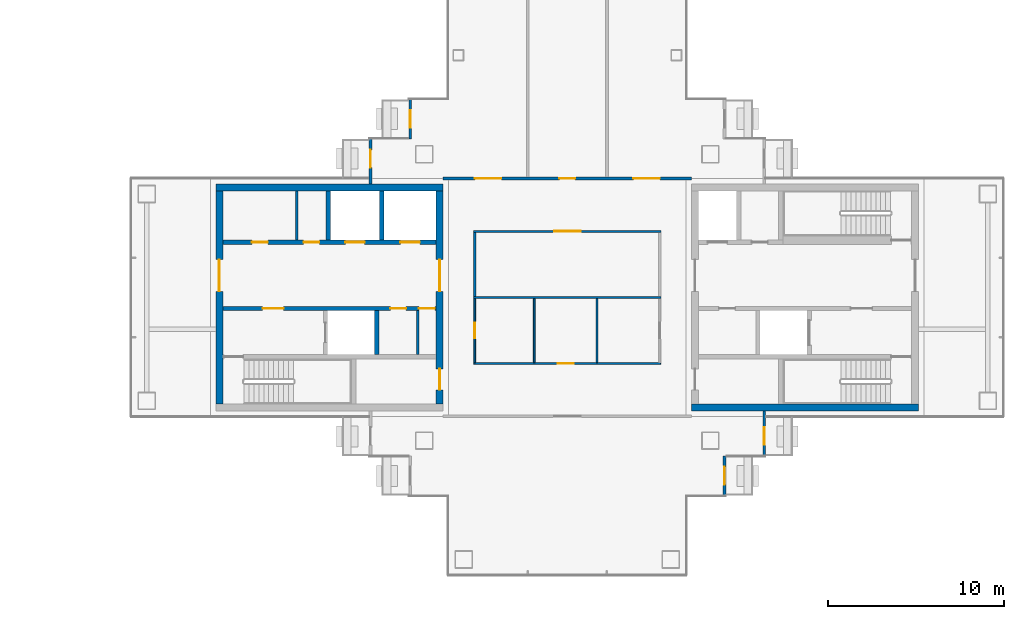
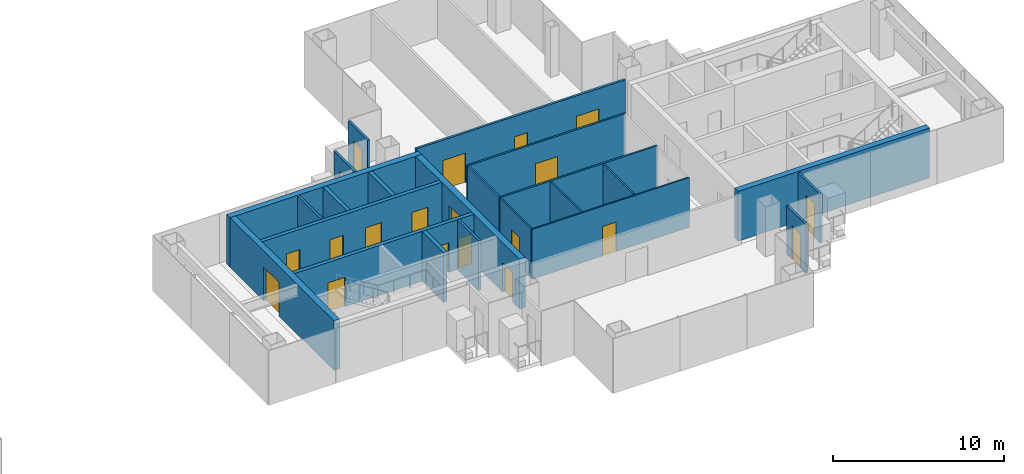
# One storey, part 11 of 16: 23 walls, 20 doors, 20 openings.
"""IFC4 building model written with IfcOpenShell, lengths in metres."""

import ifcopenshell
import ifcopenshell.guid

model = None  # the IFC model being written
_history = None  # IfcOwnerHistory: only IFC2X3 demands one
_inside = {}  # id of a spatial element -> (the spatial element, [elements in it])
_under = {}  # id of a project, library or spatial element -> (it, [spatial elements below it])
_declared = {}  # id of a project -> (the project, [libraries it declares])
_typed = {}  # id of a type object -> (the type object, [elements of that type])
_made_of = {}  # id of a material, layer set ... -> (it, [elements and type objects made of it])


def new_model(schema):
    """Start an empty IFC model of exactly this schema.

    Asked for "IFC4X3", IfcOpenShell would pick the latest addendum, in which some entities
    have other attributes; the version numbers below select the first issue.
    IFC2X3 requires an IfcOwnerHistory on every rooted entity: one is made here for all.
    """
    global model, _history
    if schema == "IFC4X3":
        model = ifcopenshell.file(schema_version=(4, 3, 0, 0))
    else:
        model = ifcopenshell.file(schema=schema)
    _inside.clear()
    _under.clear()
    _declared.clear()
    _typed.clear()
    _made_of.clear()
    _history = None
    if model.schema == "IFC2X3":
        org = make("IfcOrganization", Name="unknown")
        user = make(
            "IfcPersonAndOrganization",
            ThePerson=make("IfcPerson", FamilyName="unknown"),
            TheOrganization=org,
        )
        app = make(
            "IfcApplication",
            ApplicationDeveloper=org,
            Version="unknown",
            ApplicationFullName="unknown",
            ApplicationIdentifier="unknown",
        )
        _history = make(
            "IfcOwnerHistory",
            OwningUser=user,
            OwningApplication=app,
            ChangeAction="ADDED",
            CreationDate=0,
        )
    return model


def make(cls, **values):
    """One entity of the class cls with the attributes given. An attribute that is None is left unset."""
    return model.create_entity(
        cls, **{name: value for name, value in values.items() if value is not None}
    )


def rooted(cls, **values):
    """An entity with a GlobalId (a new one), such as an element, a storey or a relation."""
    return make(cls, GlobalId=ifcopenshell.guid.new(), OwnerHistory=_history, **values)


def si_unit(unit_type, name, prefix=None):
    """IfcSIUnit, for example si_unit("LENGTHUNIT", "METRE", prefix="MILLI")."""
    return make("IfcSIUnit", UnitType=unit_type, Prefix=prefix, Name=name)


def assignment(units):
    """IfcUnitAssignment: the units of a project."""
    return None if units is None else make("IfcUnitAssignment", Units=units)


def point(xyz):
    """IfcCartesianPoint."""
    return None if xyz is None else make("IfcCartesianPoint", Coordinates=xyz)


def direction(xyz):
    """IfcDirection."""
    return None if xyz is None else make("IfcDirection", DirectionRatios=xyz)


def frame(location, z_axis=None, x_axis=None):
    """IfcAxis2Placement3D, a coordinate frame: its origin and axes. An axis left out is left unset."""
    return make(
        "IfcAxis2Placement3D",
        Location=point(location),
        Axis=direction(z_axis),
        RefDirection=direction(x_axis),
    )


def frame_2d(location, x_axis=None):
    """IfcAxis2Placement2D, a coordinate frame in the plane: its origin and x axis."""
    return make(
        "IfcAxis2Placement2D", Location=point(location), RefDirection=direction(x_axis)
    )


def origin():
    """The frame at (0, 0, 0) with its axes left unset."""
    return frame((0.0, 0.0, 0.0))


def place(relative_to, where):
    """IfcLocalPlacement: puts the frame where relative to a parent placement (None: the world)."""
    return make(
        "IfcLocalPlacement", PlacementRelTo=relative_to, RelativePlacement=where
    )


def context(
    kind, dimensions, precision=None, world=None, true_north=None, identifier=None
):
    """IfcGeometricRepresentationContext, for example the 3D "Model" context."""
    return make(
        "IfcGeometricRepresentationContext",
        ContextIdentifier=identifier,
        ContextType=kind,
        CoordinateSpaceDimension=dimensions,
        Precision=precision,
        WorldCoordinateSystem=world,
        TrueNorth=true_north,
    )


def subcontext(parent, identifier, kind, view, scale=None):
    """IfcGeometricRepresentationSubContext, for example "Body" below "Model"."""
    return make(
        "IfcGeometricRepresentationSubContext",
        ContextIdentifier=identifier,
        ContextType=kind,
        ParentContext=parent,
        TargetScale=scale,
        TargetView=view,
    )


def project(units=None, contexts=None):
    """IfcProject with its units and contexts."""
    return rooted(
        "IfcProject",
        Name="project",
        RepresentationContexts=contexts,
        UnitsInContext=assignment(units),
    )


def spatial(cls, under=None, at=None, **own):
    """A site, building, storey or space (cls), placed at a placement, below another one or the project."""
    s = rooted(cls, ObjectPlacement=at, **own)
    if under is not None:
        _under.setdefault(under.id(), (under, []))[1].append(s)
    return s


def profile(cls, at=None, kind="AREA", **sizes):
    """A parametric profile (cls). Its sizes go by their IFC names, for example OverallWidth=200.0."""
    return make(cls, ProfileType=kind, Position=at, **sizes)


def rectangle(**sizes):
    """IfcRectangleProfileDef."""
    return profile("IfcRectangleProfileDef", **sizes)


def extrude(swept, where, along, depth):
    """IfcExtrudedAreaSolid: the profile swept, set in the frame where, extruded along a direction by depth."""
    return make(
        "IfcExtrudedAreaSolid",
        SweptArea=swept,
        Position=where,
        ExtrudedDirection=direction(along),
        Depth=depth,
    )


def shape(context_of_items, identifier, shape_type, items):
    """IfcShapeRepresentation: the items that make up one representation, for example the "Body"."""
    return make(
        "IfcShapeRepresentation",
        ContextOfItems=context_of_items,
        RepresentationIdentifier=identifier,
        RepresentationType=shape_type,
        Items=items,
    )


def material(Name=None, Category=None):
    """IfcMaterial."""
    return make("IfcMaterial", Name=Name, Category=Category)


def layer(
    of_material, thickness, ventilated=None, Name=None, Category=None, Priority=None
):
    """IfcMaterialLayer: one layer of a wall or slab, of a material (None: an air gap)."""
    return make(
        "IfcMaterialLayer",
        Material=of_material,
        LayerThickness=thickness,
        IsVentilated=ventilated,
        Name=Name,
        Category=Category,
        Priority=Priority,
    )


def layer_set(layers, Name=None):
    """IfcMaterialLayerSet."""
    return make("IfcMaterialLayerSet", MaterialLayers=layers, LayerSetName=Name)


def made_of(thing, what):
    """Note that an element or type object is made of a material, layer set ...; save() writes the relation."""
    if what is not None:
        _made_of.setdefault(what.id(), (what, []))[1].append(thing)
    return thing


def type_object(cls, material=None, **own):
    """A type object (cls), such as IfcWallType, which elements share."""
    return made_of(rooted(cls, **own), material)


def element(
    cls,
    number,
    at=None,
    inside=None,
    cuts=None,
    type_object=None,
    material=None,
    context=None,
    identifier="Body",
    shape_type=None,
    held_by="IfcProductDefinitionShape",
    body=None,
    shapes=None,
    **own,
):
    """One element of the class cls, such as IfcWall. Its Tag is "e" and its number.

    at: its placement. inside: the storey or other place that contains it. cuts: it is an
    opening in that element (IfcRelVoidsElement). A single representation is given by context,
    identifier, shape_type and body (its items); several are given by shapes. held_by: the class
    of the entity that holds the representations. save() writes the other relations.
    """
    e = rooted(cls, Tag="e%d" % number, ObjectPlacement=at, **own)
    if body is not None:
        shapes = [shape(context, identifier, shape_type, body)]
    if shapes is not None:
        e.Representation = make(held_by, Representations=shapes)
    if inside is not None:
        _inside.setdefault(inside.id(), (inside, []))[1].append(e)
    if cuts is not None:
        rooted(
            "IfcRelVoidsElement", RelatingBuildingElement=cuts, RelatedOpeningElement=e
        )
    if type_object is not None:
        _typed.setdefault(type_object.id(), (type_object, []))[1].append(e)
    return made_of(e, material)


def fill(opening, filler):
    """IfcRelFillsElement: the door or window that sits in an opening."""
    return rooted(
        "IfcRelFillsElement",
        RelatingOpeningElement=opening,
        RelatedBuildingElement=filler,
    )


def aggregate(whole, parts):
    """IfcRelAggregates: a whole, such as a stair, and the parts it consists of."""
    return rooted("IfcRelAggregates", RelatingObject=whole, RelatedObjects=parts)


def save(model, path):
    """Write the relations noted so far, then the file.

    IfcRelAggregates (storeys below a building ...), IfcRelContainedInSpatialStructure (elements
    in a storey), IfcRelDefinesByType, IfcRelAssociatesMaterial and IfcRelDeclares: one each for
    every whole, place, type object, material and project.
    """
    for whole, parts in _under.values():
        aggregate(whole, parts)
    for where, things in _inside.values():
        rooted(
            "IfcRelContainedInSpatialStructure",
            RelatedElements=things,
            RelatingStructure=where,
        )
    for kind, things in _typed.values():
        rooted("IfcRelDefinesByType", RelatedObjects=things, RelatingType=kind)
    for what, things in _made_of.values():
        rooted("IfcRelAssociatesMaterial", RelatedObjects=things, RelatingMaterial=what)
    for by, libraries in _declared.values():
        rooted("IfcRelDeclares", RelatingContext=by, RelatedDefinitions=libraries)
    model.write(path)


model = new_model("IFC4")

# Units and contexts
model_context = context("Model", 3, precision=1e-05, world=origin(), true_north=direction((0.0, 1.0)))
body_context = subcontext(model_context, "Body", "Model", "MODEL_VIEW")
ifc_project = project(units=[si_unit("LENGTHUNIT", "METRE"), si_unit("AREAUNIT", "SQUARE_METRE"), si_unit("VOLUMEUNIT", "CUBIC_METRE"), si_unit("PLANEANGLEUNIT", "RADIAN"), si_unit("MASSUNIT", "GRAM", prefix="KILO")], contexts=[model_context])

# Site, building, storey
site_placement = place(None, origin())
site = spatial("IfcSite", under=ifc_project, at=site_placement, CompositionType="ELEMENT")
building_placement = place(site_placement, origin())
building = spatial("IfcBuilding", under=site, at=building_placement, Name="Shamsa Quay Exchange Towers", CompositionType="ELEMENT")
storey_placement = place(building_placement, frame((0.0, 0.0, 186.60009765625)))
storey = spatial("IfcBuildingStorey", under=building, at=storey_placement, Name="L44", CompositionType="ELEMENT", Elevation=186.60009765625)

# Wall, opening, door
ifc_material_1 = material(Name="Aluminium EN AW-6063 T6, black anodised, with black enamelled glass infill", Category="aluminium")
ifc_layer_1 = layer(ifc_material_1, 0.14990234375)
ifc_layer_set_1 = layer_set([ifc_layer_1], Name="BALCONY DOOR BAY WALL 150")
wall_type_1 = type_object("IfcWallType", Name="BALCONY DOOR BAY WALL 150", PredefinedType="SOLIDWALL", material=ifc_layer_set_1)
wall_1_placement = place(storey_placement, frame((24.824951171875, 9.0, 0.0), z_axis=(0.0, 0.0, 1.0), x_axis=(0.0, 1.0, 0.0)))
wall_1 = element("IfcWall", 1, at=wall_1_placement, inside=storey, type_object=wall_type_1, Name="Door bay T2-PKEN L44", PredefinedType="SOLIDWALL", context=body_context, shape_type="SweptSolid", body=[
    extrude(rectangle(XDim=2.25, YDim=0.14990234375, at=frame_2d((1.125, 0.0))), origin(), (0.0, 0.0, 1.0), 3.449951171875),
])
opening_1_placement = place(wall_1_placement, frame((0.625, 0.0, 0.0)))
opening_1 = element("IfcOpeningElement", 2, at=opening_1_placement, cuts=wall_1, Name="Opening XD281", PredefinedType="OPENING", context=body_context, shape_type="SweptSolid", body=[
    extrude(rectangle(XDim=1.0, YDim=2.39990234375, at=frame_2d((0.5, 1.199951171875))), frame((0.0, 0.0849609375, 0.0), z_axis=(0.0, -1.0, 0.0), x_axis=(1.0, 0.0, 0.0)), (0.0, 0.0, 1.0), 0.169921875),
])
ifc_material_2 = material(Name="Aluminium EN AW-6063 T6, black anodised, with laminated glass leaf", Category="aluminium")
door_type_1 = type_object("IfcDoorType", Name="BALCONY DOOR 1000x2400", OperationType="SINGLE_SWING_LEFT", PredefinedType="DOOR", material=ifc_material_2)
door_1_placement = place(opening_1_placement, origin())
door_1 = element("IfcDoor", 3, at=door_1_placement, inside=storey, type_object=door_type_1, Name="Balcony door T2-PKEN L44", OperationType="SINGLE_SWING_RIGHT", OverallHeight=2.39990234375, OverallWidth=1.0, PredefinedType="DOOR", context=body_context, shape_type="SweptSolid", body=[
    extrude(rectangle(XDim=1.0, YDim=2.39990234375, at=frame_2d((0.5, 1.199951171875))), frame((0.0, 0.02490234375, 0.0), z_axis=(0.0, -1.0, 0.0), x_axis=(1.0, 0.0, 0.0)), (0.0, 0.0, 1.0), 0.050048828125),
])
fill(opening_1, door_1)

wall_2_placement = place(storey_placement, frame((22.574951171875, 6.447998046875, 0.0), z_axis=(0.0, 0.0, 1.0), x_axis=(0.0, 1.0, 0.0)))
wall_2 = element("IfcWall", 4, at=wall_2_placement, inside=storey, type_object=wall_type_1, Name="Door bay T2-PKEN L44", PredefinedType="SOLIDWALL", context=body_context, shape_type="SweptSolid", body=[
    extrude(rectangle(XDim=2.552001953125, YDim=0.14990234375, at=frame_2d((1.27587890625, 0.0))), origin(), (0.0, 0.0, 1.0), 3.449951171875),
])
opening_2_placement = place(wall_2_placement, frame((0.927001953125, 0.0, 0.0)))
opening_2 = element("IfcOpeningElement", 5, at=opening_2_placement, cuts=wall_2, Name="Opening XD282", PredefinedType="OPENING", context=body_context, shape_type="SweptSolid", body=[
    extrude(rectangle(XDim=1.0, YDim=2.39990234375, at=frame_2d((0.5, 1.199951171875))), frame((0.0, 0.0849609375, 0.0), z_axis=(0.0, -1.0, 0.0), x_axis=(1.0, 0.0, 0.0)), (0.0, 0.0, 1.0), 0.169921875),
])
door_2_placement = place(opening_2_placement, origin())
door_2 = element("IfcDoor", 6, at=door_2_placement, inside=storey, type_object=door_type_1, Name="Balcony door T2-PKEN L44", OperationType="SINGLE_SWING_LEFT", OverallHeight=2.39990234375, OverallWidth=1.0, PredefinedType="DOOR", context=body_context, shape_type="SweptSolid", body=[
    extrude(rectangle(XDim=1.0, YDim=2.39990234375, at=frame_2d((0.5, 1.199951171875))), frame((0.0, 0.02490234375, 0.0), z_axis=(0.0, -1.0, 0.0), x_axis=(1.0, 0.0, 0.0)), (0.0, 0.0, 1.0), 0.050048828125),
])
fill(opening_2, door_2)

wall_3_placement = place(storey_placement, frame((42.675048828125, -9.0, 0.0), z_axis=(0.0, 0.0, 1.0), x_axis=(0.0, -1.0, 0.0)))
wall_3 = element("IfcWall", 7, at=wall_3_placement, inside=storey, type_object=wall_type_1, Name="Door bay T2-PKWS L44", PredefinedType="SOLIDWALL", context=body_context, shape_type="SweptSolid", body=[
    extrude(rectangle(XDim=2.25, YDim=0.14990234375, at=frame_2d((1.125, 0.0))), origin(), (0.0, 0.0, 1.0), 3.449951171875),
])
opening_3_placement = place(wall_3_placement, frame((0.625, 0.0, 0.0)))
opening_3 = element("IfcOpeningElement", 8, at=opening_3_placement, cuts=wall_3, Name="Opening XD287", PredefinedType="OPENING", context=body_context, shape_type="SweptSolid", body=[
    extrude(rectangle(XDim=1.0, YDim=2.39990234375, at=frame_2d((0.5, 1.199951171875))), frame((0.0, 0.0849609375, 0.0), z_axis=(0.0, -1.0, 0.0), x_axis=(1.0, 0.0, 0.0)), (0.0, 0.0, 1.0), 0.169921875),
])
door_3_placement = place(opening_3_placement, origin())
door_3 = element("IfcDoor", 9, at=door_3_placement, inside=storey, type_object=door_type_1, Name="Balcony door T2-PKWS L44", OperationType="SINGLE_SWING_LEFT", OverallHeight=2.39990234375, OverallWidth=1.0, PredefinedType="DOOR", context=body_context, shape_type="SweptSolid", body=[
    extrude(rectangle(XDim=1.0, YDim=2.39990234375, at=frame_2d((0.5, 1.199951171875))), frame((0.0, 0.02490234375, 0.0), z_axis=(0.0, -1.0, 0.0), x_axis=(1.0, 0.0, 0.0)), (0.0, 0.0, 1.0), 0.050048828125),
])
fill(opening_3, door_3)

wall_4_placement = place(storey_placement, frame((44.925048828125, -6.447998046875, 0.0), z_axis=(0.0, 0.0, 1.0), x_axis=(0.0, -1.0, 0.0)))
wall_4 = element("IfcWall", 10, at=wall_4_placement, inside=storey, type_object=wall_type_1, Name="Door bay T2-PKWS L44", PredefinedType="SOLIDWALL", context=body_context, shape_type="SweptSolid", body=[
    extrude(rectangle(XDim=2.552001953125, YDim=0.14990234375, at=frame_2d((1.27587890625, 0.0))), origin(), (0.0, 0.0, 1.0), 3.449951171875),
])
opening_4_placement = place(wall_4_placement, frame((0.927001953125, 0.0, 0.0)))
opening_4 = element("IfcOpeningElement", 11, at=opening_4_placement, cuts=wall_4, Name="Opening XD288", PredefinedType="OPENING", context=body_context, shape_type="SweptSolid", body=[
    extrude(rectangle(XDim=1.0, YDim=2.39990234375, at=frame_2d((0.5, 1.199951171875))), frame((0.0, 0.0849609375, 0.0), z_axis=(0.0, -1.0, 0.0), x_axis=(1.0, 0.0, 0.0)), (0.0, 0.0, 1.0), 0.169921875),
])
door_4_placement = place(opening_4_placement, origin())
door_4 = element("IfcDoor", 12, at=door_4_placement, inside=storey, type_object=door_type_1, Name="Balcony door T2-PKWS L44", OperationType="SINGLE_SWING_RIGHT", OverallHeight=2.39990234375, OverallWidth=1.0, PredefinedType="DOOR", context=body_context, shape_type="SweptSolid", body=[
    extrude(rectangle(XDim=1.0, YDim=2.39990234375, at=frame_2d((0.5, 1.199951171875))), frame((0.0, 0.02490234375, 0.0), z_axis=(0.0, -1.0, 0.0), x_axis=(1.0, 0.0, 0.0)), (0.0, 0.0, 1.0), 0.050048828125),
])
fill(opening_4, door_4)

# Wall
ifc_material_3 = material(Name="Concrete C60/75", Category="concrete")
ifc_layer_2 = layer(ifc_material_3, 0.39990234375)
ifc_layer_set_2 = layer_set([ifc_layer_2], Name="CORE WALL 400 C60/75")
wall_type_2 = type_object("IfcWallType", Name="CORE WALL 400 C60/75", PredefinedType="SHEAR", material=ifc_layer_set_2)
wall_5_placement = place(storey_placement, frame((13.800048828125, 6.25, 0.0)))
element("IfcWall", 13, at=wall_5_placement, inside=storey, type_object=wall_type_2, Name="Core wall T2A-R20-PN", PredefinedType="SHEAR", context=body_context, shape_type="SweptSolid", body=[
    extrude(rectangle(XDim=12.89990234375, YDim=0.39990234375, at=frame_2d((6.449951171875, 0.0))), origin(), (0.0, 0.0, 1.0), 3.5498046875),
])

# Wall, opening, door
wall_6_placement = place(storey_placement, frame((14.0, 6.050048828125, 0.0), z_axis=(0.0, 0.0, 1.0), x_axis=(0.0, -1.0, 0.0)))
wall_6 = element("IfcWall", 14, at=wall_6_placement, inside=storey, type_object=wall_type_2, Name="Core wall T2A-R20-PF", PredefinedType="SHEAR", context=body_context, shape_type="SweptSolid", body=[
    extrude(rectangle(XDim=12.10009765625, YDim=0.39990234375, at=frame_2d((6.050048828125, 0.0))), origin(), (0.0, 0.0, 1.0), 3.5498046875),
])
opening_5_placement = place(wall_6_placement, frame((3.89990234375, 0.0, 0.0)))
opening_5 = element("IfcOpeningElement", 15, at=opening_5_placement, cuts=wall_6, Name="Opening T2A-R20-LBD01", PredefinedType="OPENING", context=body_context, shape_type="SweptSolid", body=[
    extrude(rectangle(XDim=1.800048828125, YDim=2.39990234375, at=frame_2d((0.89990234375, 1.199951171875))), frame((0.0, 0.2099609375, 0.0), z_axis=(0.0, -1.0, 0.0), x_axis=(1.0, 0.0, 0.0)), (0.0, 0.0, 1.0), 0.419921875),
])
ifc_material_4 = material(Name="Steel, fire rated", Category="steel")
door_type_2 = type_object("IfcDoorType", Name="LIFT LOBBY DOOR PAIR 1800", OperationType="DOUBLE_DOOR_SINGLE_SWING", PredefinedType="DOOR", material=ifc_material_4)
door_5_placement = place(opening_5_placement, origin())
door_5 = element("IfcDoor", 16, at=door_5_placement, inside=storey, type_object=door_type_2, Name="T2A-R20-LBD01", OperationType="DOUBLE_DOOR_SINGLE_SWING", OverallHeight=2.39990234375, OverallWidth=1.800048828125, PredefinedType="DOOR", context=body_context, shape_type="SweptSolid", body=[
    extrude(rectangle(XDim=1.800048828125, YDim=2.39990234375, at=frame_2d((0.89990234375, 1.199951171875))), frame((0.0, 0.02490234375, 0.0), z_axis=(0.0, -1.0, 0.0), x_axis=(1.0, 0.0, 0.0)), (0.0, 0.0, 1.0), 0.050048828125),
])
fill(opening_5, door_5)

# Wall, openings, doors
wall_7_placement = place(storey_placement, frame((26.5, 6.050048828125, 0.0), z_axis=(0.0, 0.0, 1.0), x_axis=(0.0, -1.0, 0.0)))
wall_7 = element("IfcWall", 17, at=wall_7_placement, inside=storey, type_object=wall_type_2, Name="Core wall T2A-R20-PB", PredefinedType="SHEAR", context=body_context, shape_type="SweptSolid", body=[
    extrude(rectangle(XDim=12.10009765625, YDim=0.39990234375, at=frame_2d((6.050048828125, 0.0))), origin(), (0.0, 0.0, 1.0), 3.5498046875),
])
opening_6_placement = place(wall_7_placement, frame((10.10009765625, 0.0, 0.0)))
opening_6 = element("IfcOpeningElement", 18, at=opening_6_placement, cuts=wall_7, Name="Opening T2A-R20-RD02", PredefinedType="OPENING", context=body_context, shape_type="SweptSolid", body=[
    extrude(rectangle(XDim=1.199951171875, YDim=2.10009765625, at=frame_2d((0.60009765625, 1.050048828125))), frame((0.0, 0.2099609375, 0.0), z_axis=(0.0, -1.0, 0.0), x_axis=(1.0, 0.0, 0.0)), (0.0, 0.0, 1.0), 0.419921875),
])
opening_7_placement = place(wall_7_placement, frame((3.89990234375, 0.0, 0.0)))
opening_7 = element("IfcOpeningElement", 19, at=opening_7_placement, cuts=wall_7, Name="Opening T2A-R20-LBD03", PredefinedType="OPENING", context=body_context, shape_type="SweptSolid", body=[
    extrude(rectangle(XDim=1.800048828125, YDim=2.39990234375, at=frame_2d((0.89990234375, 1.199951171875))), frame((0.0, 0.2099609375, 0.0), z_axis=(0.0, -1.0, 0.0), x_axis=(1.0, 0.0, 0.0)), (0.0, 0.0, 1.0), 0.419921875),
])
door_6_placement = place(opening_7_placement, origin())
door_6 = element("IfcDoor", 20, at=door_6_placement, inside=storey, type_object=door_type_2, Name="T2A-R20-LBD03", OperationType="DOUBLE_DOOR_SINGLE_SWING", OverallHeight=2.39990234375, OverallWidth=1.800048828125, PredefinedType="DOOR", context=body_context, shape_type="SweptSolid", body=[
    extrude(rectangle(XDim=1.800048828125, YDim=2.39990234375, at=frame_2d((0.89990234375, 1.199951171875))), frame((0.0, 0.02490234375, 0.0), z_axis=(0.0, -1.0, 0.0), x_axis=(1.0, 0.0, 0.0)), (0.0, 0.0, 1.0), 0.050048828125),
])
fill(opening_7, door_6)
door_type_3 = type_object("IfcDoorType", Name="RISER ACCESS DOOR 1200", OperationType="SINGLE_SWING_LEFT", PredefinedType="DOOR", material=ifc_material_4)
door_7_placement = place(opening_6_placement, origin())
door_7 = element("IfcDoor", 21, at=door_7_placement, inside=storey, type_object=door_type_3, Name="T2A-R20-RD02", OperationType="SINGLE_SWING_RIGHT", OverallHeight=2.10009765625, OverallWidth=1.199951171875, PredefinedType="DOOR", context=body_context, shape_type="SweptSolid", body=[
    extrude(rectangle(XDim=1.199951171875, YDim=2.10009765625, at=frame_2d((0.60009765625, 1.050048828125))), frame((0.0, 0.02490234375, 0.0), z_axis=(0.0, -1.0, 0.0), x_axis=(1.0, 0.0, 0.0)), (0.0, 0.0, 1.0), 0.050048828125),
])
fill(opening_6, door_7)

# Walls
wall_8_placement = place(storey_placement, frame((53.699951171875, -6.25, 0.0), z_axis=(0.0, 0.0, 1.0), x_axis=(-1.0, 0.0, 0.0)))
element("IfcWall", 22, at=wall_8_placement, inside=storey, type_object=wall_type_2, Name="Core wall T2B-R20-PS", PredefinedType="SHEAR", context=body_context, shape_type="SweptSolid", body=[
    extrude(rectangle(XDim=12.89990234375, YDim=0.39990234375, at=frame_2d((6.449951171875, 0.0))), origin(), (0.0, 0.0, 1.0), 3.5498046875),
])
ifc_material_5 = material(Name="Gypsum board on steel studs, EI 60", Category="steel")
ifc_layer_3 = layer(ifc_material_5, 0.14990234375)
ifc_layer_set_3 = layer_set([ifc_layer_3], Name="FIRE PARTITION 150")
wall_type_3 = type_object("IfcWallType", Name="FIRE PARTITION 150", PredefinedType="PARTITIONING", material=ifc_layer_set_3)
wall_9_placement = place(storey_placement, frame((25.25, -3.25, 0.0), z_axis=(0.0, 0.0, 1.0), x_axis=(0.0, 1.0, 0.0)))
element("IfcWall", 23, at=wall_9_placement, inside=storey, type_object=wall_type_3, Name="Partition T2A-R20-EC0", PredefinedType="PARTITIONING", context=body_context, shape_type="SweptSolid", body=[
    extrude(rectangle(XDim=2.5, YDim=0.14990234375, at=frame_2d((1.25, 0.0))), origin(), (0.0, 0.0, 1.0), 3.5498046875),
])
wall_10_placement = place(storey_placement, frame((18.39990234375, 3.25, 0.0), z_axis=(0.0, 0.0, 1.0), x_axis=(0.0, 1.0, 0.0)))
element("IfcWall", 24, at=wall_10_placement, inside=storey, type_object=wall_type_3, Name="Partition T2A-R20-FC0", PredefinedType="PARTITIONING", context=body_context, shape_type="SweptSolid", body=[
    extrude(rectangle(XDim=2.800048828125, YDim=0.14990234375, at=frame_2d((1.39990234375, 0.0))), origin(), (0.0, 0.0, 1.0), 3.5498046875),
])
ifc_material_6 = material(Name="Laminated fire-resisting glass in a metal frame", Category="glass")
ifc_layer_4 = layer(ifc_material_6, 0.125)
ifc_layer_set_4 = layer_set([ifc_layer_4], Name="Glazed partition 125 mm EI 60")
wall_type_4 = type_object("IfcWallType", Name="Glazed partition 125 mm EI 60", PredefinedType="PARTITIONING", material=ifc_layer_set_4)
wall_11_placement = place(storey_placement, frame((28.5, 3.6875, 0.0), z_axis=(0.0, 0.0, 1.0), x_axis=(0.0, -1.0, 0.0)))
element("IfcWall", 25, at=wall_11_placement, inside=storey, type_object=wall_type_4, Name="Partition T2-R20-W05", PredefinedType="PARTITIONING", context=body_context, shape_type="SweptSolid", body=[
    extrude(rectangle(XDim=3.625, YDim=0.125, at=frame_2d((1.8125, 0.0))), origin(), (0.0, 0.0, 1.0), 3.5498046875),
])

# Wall, opening, door
wall_12_placement = place(storey_placement, frame((39.0625, 3.75, 0.0), z_axis=(0.0, 0.0, 1.0), x_axis=(-1.0, 0.0, 0.0)))
wall_12 = element("IfcWall", 26, at=wall_12_placement, inside=storey, type_object=wall_type_4, Name="Partition T2-R20-W06", PredefinedType="PARTITIONING", context=body_context, shape_type="SweptSolid", body=[
    extrude(rectangle(XDim=10.625, YDim=0.125, at=frame_2d((5.3125, 0.0))), origin(), (0.0, 0.0, 1.0), 3.5498046875),
])
opening_8_placement = place(wall_12_placement, frame((4.5625, 0.0, 0.0)))
opening_8 = element("IfcOpeningElement", 27, at=opening_8_placement, cuts=wall_12, Name="Opening T2-R20-D07", PredefinedType="OPENING", context=body_context, shape_type="SweptSolid", body=[
    extrude(rectangle(XDim=1.5, YDim=2.10009765625, at=frame_2d((0.75, 1.050048828125))), frame((0.0, 0.072509765625, 0.0), z_axis=(0.0, -1.0, 0.0), x_axis=(1.0, 0.0, 0.0)), (0.0, 0.0, 1.0), 0.14501953125),
])
ifc_material_7 = material(Name="Timber door leaf in a metal frame", Category="wood")
door_type_4 = type_object("IfcDoorType", Name="Door 1500x2100 FD30S pair", OperationType="NOTDEFINED", PredefinedType="DOOR", material=ifc_material_7)
door_8_placement = place(opening_8_placement, origin())
door_8 = element("IfcDoor", 28, at=door_8_placement, inside=storey, type_object=door_type_4, Name="Door T2-R20-D07", OperationType="DOUBLE_DOOR_SINGLE_SWING", OverallHeight=2.10009765625, OverallWidth=1.5, PredefinedType="DOOR", context=body_context, shape_type="SweptSolid", body=[
    extrude(rectangle(XDim=1.5, YDim=2.10009765625, at=frame_2d((0.75, 1.050048828125))), frame((0.0, 0.02490234375, 0.0), z_axis=(0.0, -1.0, 0.0), x_axis=(1.0, 0.0, 0.0)), (0.0, 0.0, 1.0), 0.050048828125),
])
fill(opening_8, door_8)

# Wall
wall_13_placement = place(storey_placement, frame((39.0625, 0.0, 0.0), z_axis=(0.0, 0.0, 1.0), x_axis=(-1.0, 0.0, 0.0)))
element("IfcWall", 29, at=wall_13_placement, inside=storey, type_object=wall_type_4, Name="Partition T2-R20-W10", PredefinedType="PARTITIONING", context=body_context, shape_type="SweptSolid", body=[
    extrude(rectangle(XDim=10.625, YDim=0.125, at=frame_2d((5.3125, 0.0))), origin(), (0.0, 0.0, 1.0), 3.5498046875),
])

# Wall, opening, door
ifc_material_8 = material(Name="Gypsum board partition on metal studs")
ifc_layer_5 = layer(ifc_material_8, 0.10009765625)
ifc_layer_set_5 = layer_set([ifc_layer_5], Name="Partition 100 mm NOT RATED")
wall_type_5 = type_object("IfcWallType", Name="Partition 100 mm NOT RATED", PredefinedType="PARTITIONING", material=ifc_layer_set_5)
wall_14_placement = place(storey_placement, frame((28.449951171875, -3.75, 0.0)))
wall_14 = element("IfcWall", 30, at=wall_14_placement, inside=storey, type_object=wall_type_5, Name="Partition T2-R20-W02", PredefinedType="PARTITIONING", context=body_context, shape_type="SweptSolid", body=[
    extrude(rectangle(XDim=10.60009765625, YDim=0.10009765625, at=frame_2d((5.300048828125, 0.0))), origin(), (0.0, 0.0, 1.0), 3.5498046875),
])
opening_9_placement = place(wall_14_placement, frame((4.756103515625, 0.0, 0.0)))
opening_9 = element("IfcOpeningElement", 31, at=opening_9_placement, cuts=wall_14, Name="Opening T2-R20-D04", PredefinedType="OPENING", context=body_context, shape_type="SweptSolid", body=[
    extrude(rectangle(XDim=0.89990234375, YDim=2.10009765625, at=frame_2d((0.449951171875, 1.050048828125))), frame((0.0, 0.06005859375, 0.0), z_axis=(0.0, -1.0, 0.0), x_axis=(1.0, 0.0, 0.0)), (0.0, 0.0, 1.0), 0.1201171875),
])
door_type_5 = type_object("IfcDoorType", Name="Door 900x2100 NOT RATED", OperationType="NOTDEFINED", PredefinedType="DOOR", material=ifc_material_7)
door_9_placement = place(opening_9_placement, origin())
door_9 = element("IfcDoor", 32, at=door_9_placement, inside=storey, type_object=door_type_5, Name="Door T2-R20-D04", OperationType="SINGLE_SWING_LEFT", OverallHeight=2.10009765625, OverallWidth=0.89990234375, PredefinedType="DOOR", context=body_context, shape_type="SweptSolid", body=[
    extrude(rectangle(XDim=0.89990234375, YDim=2.10009765625, at=frame_2d((0.449951171875, 1.050048828125))), frame((0.0, 0.02490234375, 0.0), z_axis=(0.0, -1.0, 0.0), x_axis=(1.0, 0.0, 0.0)), (0.0, 0.0, 1.0), 0.050048828125),
])
fill(opening_9, door_9)

wall_15_placement = place(storey_placement, frame((28.5, -0.0625, 0.0), z_axis=(0.0, 0.0, 1.0), x_axis=(0.0, -1.0, 0.0)))
wall_15 = element("IfcWall", 33, at=wall_15_placement, inside=storey, type_object=wall_type_5, Name="Partition T2-R20-W03", PredefinedType="PARTITIONING", context=body_context, shape_type="SweptSolid", body=[
    extrude(rectangle(XDim=3.637451171875, YDim=0.10009765625, at=frame_2d((1.81884765625, 0.0))), origin(), (0.0, 0.0, 1.0), 3.5498046875),
])
opening_10_placement = place(wall_15_placement, frame((1.362548828125, 0.0, 0.0)))
opening_10 = element("IfcOpeningElement", 34, at=opening_10_placement, cuts=wall_15, Name="Opening T2-R20-D06", PredefinedType="OPENING", context=body_context, shape_type="SweptSolid", body=[
    extrude(rectangle(XDim=0.89990234375, YDim=2.10009765625, at=frame_2d((0.449951171875, 1.050048828125))), frame((0.0, 0.06005859375, 0.0), z_axis=(0.0, -1.0, 0.0), x_axis=(1.0, 0.0, 0.0)), (0.0, 0.0, 1.0), 0.1201171875),
])
door_10_placement = place(opening_10_placement, origin())
door_10 = element("IfcDoor", 35, at=door_10_placement, inside=storey, type_object=door_type_5, Name="Door T2-R20-D06", OperationType="SINGLE_SWING_RIGHT", OverallHeight=2.10009765625, OverallWidth=0.89990234375, PredefinedType="DOOR", context=body_context, shape_type="SweptSolid", body=[
    extrude(rectangle(XDim=0.89990234375, YDim=2.10009765625, at=frame_2d((0.449951171875, 1.050048828125))), frame((0.0, 0.02490234375, 0.0), z_axis=(0.0, -1.0, 0.0), x_axis=(1.0, 0.0, 0.0)), (0.0, 0.0, 1.0), 0.050048828125),
])
fill(opening_10, door_10)

# Walls
for number, where, z_axis, x_axis, name in (
    (36, (35.4375, -0.0625, 0.0), (0.0, 0.0, 1.0), (0.0, -1.0, 0.0), "Partition T2-R20-W09"),
    (37, (31.875, -0.0625, 0.0), (0.0, 0.0, 1.0), (0.0, -1.0, 0.0), "Partition T2-R20-W11"),
):
    element("IfcWall", number, at=place(storey_placement, frame(where, z_axis=z_axis, x_axis=x_axis)), inside=storey, type_object=wall_type_5, Name=name, PredefinedType="PARTITIONING", context=body_context, shape_type="SweptSolid", body=[
        extrude(rectangle(XDim=3.637451171875, YDim=0.10009765625, at=frame_2d((1.81884765625, 0.0))), origin(), (0.0, 0.0, 1.0), 3.5498046875),
    ])

# Wall, openings, doors
ifc_layer_6 = layer(ifc_material_8, 0.14990234375)
ifc_layer_set_6 = layer_set([ifc_layer_6], Name="Partition 150 mm EI 60")
wall_type_6 = type_object("IfcWallType", Name="Partition 150 mm EI 60", PredefinedType="PARTITIONING", material=ifc_layer_set_6)
wall_16_placement = place(storey_placement, frame((26.699951171875, 6.75, 0.0)))
wall_16 = element("IfcWall", 38, at=wall_16_placement, inside=storey, type_object=wall_type_6, Name="Partition T2-R20-W07", PredefinedType="PARTITIONING", context=body_context, shape_type="SweptSolid", body=[
    extrude(rectangle(XDim=14.10009765625, YDim=0.14990234375, at=frame_2d((7.050048828125, 0.0))), origin(), (0.0, 0.0, 1.0), 3.5498046875),
])
opening_11_placement = place(wall_16_placement, frame((10.800048828125, 0.0, 0.0)))
opening_11 = element("IfcOpeningElement", 39, at=opening_11_placement, cuts=wall_16, Name="Opening T2-R20-D01", PredefinedType="OPENING", context=body_context, shape_type="SweptSolid", body=[
    extrude(rectangle(XDim=1.5, YDim=2.10009765625, at=frame_2d((0.75, 1.050048828125))), frame((0.0, 0.0849609375, 0.0), z_axis=(0.0, -1.0, 0.0), x_axis=(1.0, 0.0, 0.0)), (0.0, 0.0, 1.0), 0.169921875),
])
opening_12_placement = place(wall_16_placement, frame((6.60009765625, 0.0, 0.0)))
opening_12 = element("IfcOpeningElement", 40, at=opening_12_placement, cuts=wall_16, Name="Opening T2-R20-D02", PredefinedType="OPENING", context=body_context, shape_type="SweptSolid", body=[
    extrude(rectangle(XDim=0.89990234375, YDim=2.10009765625, at=frame_2d((0.449951171875, 1.050048828125))), frame((0.0, 0.0849609375, 0.0), z_axis=(0.0, -1.0, 0.0), x_axis=(1.0, 0.0, 0.0)), (0.0, 0.0, 1.0), 0.169921875),
])
opening_13_placement = place(wall_16_placement, frame((1.800048828125, 0.0, 0.0)))
opening_13 = element("IfcOpeningElement", 41, at=opening_13_placement, cuts=wall_16, Name="Opening T2-R20-D03", PredefinedType="OPENING", context=body_context, shape_type="SweptSolid", body=[
    extrude(rectangle(XDim=1.5, YDim=2.10009765625, at=frame_2d((0.75, 1.050048828125))), frame((0.0, 0.0849609375, 0.0), z_axis=(0.0, -1.0, 0.0), x_axis=(1.0, 0.0, 0.0)), (0.0, 0.0, 1.0), 0.169921875),
])
door_11_placement = place(opening_11_placement, origin())
door_11 = element("IfcDoor", 42, at=door_11_placement, inside=storey, type_object=door_type_4, Name="Door T2-R20-D01", OperationType="DOUBLE_DOOR_SINGLE_SWING", OverallHeight=2.10009765625, OverallWidth=1.5, PredefinedType="DOOR", context=body_context, shape_type="SweptSolid", body=[
    extrude(rectangle(XDim=1.5, YDim=2.10009765625, at=frame_2d((0.75, 1.050048828125))), frame((0.0, 0.02490234375, 0.0), z_axis=(0.0, -1.0, 0.0), x_axis=(1.0, 0.0, 0.0)), (0.0, 0.0, 1.0), 0.050048828125),
])
fill(opening_11, door_11)
door_12_placement = place(opening_13_placement, origin())
door_12 = element("IfcDoor", 43, at=door_12_placement, inside=storey, type_object=door_type_4, Name="Door T2-R20-D03", OperationType="DOUBLE_DOOR_SINGLE_SWING", OverallHeight=2.10009765625, OverallWidth=1.5, PredefinedType="DOOR", context=body_context, shape_type="SweptSolid", body=[
    extrude(rectangle(XDim=1.5, YDim=2.10009765625, at=frame_2d((0.75, 1.050048828125))), frame((0.0, 0.02490234375, 0.0), z_axis=(0.0, -1.0, 0.0), x_axis=(1.0, 0.0, 0.0)), (0.0, 0.0, 1.0), 0.050048828125),
])
fill(opening_13, door_12)
door_type_6 = type_object("IfcDoorType", Name="Door 900x2100 FD30S", OperationType="NOTDEFINED", PredefinedType="DOOR", material=ifc_material_7)
door_13_placement = place(opening_12_placement, origin())
door_13 = element("IfcDoor", 44, at=door_13_placement, inside=storey, type_object=door_type_6, Name="Door T2-R20-D02", OperationType="SINGLE_SWING_LEFT", OverallHeight=2.10009765625, OverallWidth=0.89990234375, PredefinedType="DOOR", context=body_context, shape_type="SweptSolid", body=[
    extrude(rectangle(XDim=0.89990234375, YDim=2.10009765625, at=frame_2d((0.449951171875, 1.050048828125))), frame((0.0, 0.02490234375, 0.0), z_axis=(0.0, -1.0, 0.0), x_axis=(1.0, 0.0, 0.0)), (0.0, 0.0, 1.0), 0.050048828125),
])
fill(opening_12, door_13)

ifc_material_9 = material(Name="Concrete C50/60", Category="concrete")
ifc_layer_7 = layer(ifc_material_9, 0.25)
ifc_layer_set_7 = layer_set([ifc_layer_7], Name="SHAFT WALL 250 C50/60")
wall_type_7 = type_object("IfcWallType", Name="SHAFT WALL 250 C50/60", PredefinedType="SHEAR", material=ifc_layer_set_7)
wall_17_placement = place(storey_placement, frame((26.300048828125, -0.625, 0.0), z_axis=(0.0, 0.0, 1.0), x_axis=(-1.0, 0.0, 0.0)))
wall_17 = element("IfcWall", 45, at=wall_17_placement, inside=storey, type_object=wall_type_7, Name="Shaft wall T2A-R20-B", PredefinedType="SHEAR", context=body_context, shape_type="SweptSolid", body=[
    extrude(rectangle(XDim=12.10009765625, YDim=0.25, at=frame_2d((6.050048828125, 0.0))), origin(), (0.0, 0.0, 1.0), 3.5498046875),
])
opening_14_placement = place(wall_17_placement, frame((8.64990234375, 0.0, 0.0)))
opening_14 = element("IfcOpeningElement", 46, at=opening_14_placement, cuts=wall_17, Name="Opening T2A-R20-FD05", PredefinedType="OPENING", context=body_context, shape_type="SweptSolid", body=[
    extrude(rectangle(XDim=1.199951171875, YDim=2.10009765625, at=frame_2d((0.60009765625, 1.050048828125))), frame((0.0, 0.135009765625, 0.0), z_axis=(0.0, -1.0, 0.0), x_axis=(1.0, 0.0, 0.0)), (0.0, 0.0, 1.0), 0.27001953125),
])
opening_15_placement = place(wall_17_placement, frame((1.699951171875, 0.0, 0.0)))
opening_15 = element("IfcOpeningElement", 47, at=opening_15_placement, cuts=wall_17, Name="Opening T2A-R20-SV06", PredefinedType="OPENING", context=body_context, shape_type="SweptSolid", body=[
    extrude(rectangle(XDim=0.89990234375, YDim=2.10009765625, at=frame_2d((0.449951171875, 1.050048828125))), frame((0.0, 0.135009765625, 0.0), z_axis=(0.0, -1.0, 0.0), x_axis=(1.0, 0.0, 0.0)), (0.0, 0.0, 1.0), 0.27001953125),
])
opening_16_placement = place(wall_17_placement, frame((0.074951171875, 0.0, 0.0)))
opening_16 = element("IfcOpeningElement", 48, at=opening_16_placement, cuts=wall_17, Name="Opening T2A-R20-SV07", PredefinedType="OPENING", context=body_context, shape_type="SweptSolid", body=[
    extrude(rectangle(XDim=0.89990234375, YDim=2.10009765625, at=frame_2d((0.449951171875, 1.050048828125))), frame((0.0, 0.135009765625, 0.0), z_axis=(0.0, -1.0, 0.0), x_axis=(1.0, 0.0, 0.0)), (0.0, 0.0, 1.0), 0.27001953125),
])
door_type_7 = type_object("IfcDoorType", Name="FIRE SERVICE LOBBY DOOR 1200", OperationType="SINGLE_SWING_LEFT", PredefinedType="DOOR", material=ifc_material_4)
door_14_placement = place(opening_14_placement, origin())
door_14 = element("IfcDoor", 49, at=door_14_placement, inside=storey, type_object=door_type_7, Name="T2A-R20-FD05", OperationType="SINGLE_SWING_RIGHT", OverallHeight=2.10009765625, OverallWidth=1.199951171875, PredefinedType="DOOR", context=body_context, shape_type="SweptSolid", body=[
    extrude(rectangle(XDim=1.199951171875, YDim=2.10009765625, at=frame_2d((0.60009765625, 1.050048828125))), frame((0.0, 0.02490234375, 0.0), z_axis=(0.0, -1.0, 0.0), x_axis=(1.0, 0.0, 0.0)), (0.0, 0.0, 1.0), 0.050048828125),
])
fill(opening_14, door_14)
door_type_8 = type_object("IfcDoorType", Name="SERVICE ROOM DOOR 900", OperationType="SINGLE_SWING_LEFT", PredefinedType="DOOR", material=ifc_material_4)
door_15_placement = place(opening_15_placement, origin())
door_15 = element("IfcDoor", 50, at=door_15_placement, inside=storey, type_object=door_type_8, Name="T2A-R20-SV06", OperationType="SINGLE_SWING_LEFT", OverallHeight=2.10009765625, OverallWidth=0.89990234375, PredefinedType="DOOR", context=body_context, shape_type="SweptSolid", body=[
    extrude(rectangle(XDim=0.89990234375, YDim=2.10009765625, at=frame_2d((0.449951171875, 1.050048828125))), frame((0.0, 0.02490234375, 0.0), z_axis=(0.0, -1.0, 0.0), x_axis=(1.0, 0.0, 0.0)), (0.0, 0.0, 1.0), 0.050048828125),
])
fill(opening_15, door_15)
door_16_placement = place(opening_16_placement, origin())
door_16 = element("IfcDoor", 51, at=door_16_placement, inside=storey, type_object=door_type_8, Name="T2A-R20-SV07", OperationType="SINGLE_SWING_LEFT", OverallHeight=2.10009765625, OverallWidth=0.89990234375, PredefinedType="DOOR", context=body_context, shape_type="SweptSolid", body=[
    extrude(rectangle(XDim=0.89990234375, YDim=2.10009765625, at=frame_2d((0.449951171875, 1.050048828125))), frame((0.0, 0.02490234375, 0.0), z_axis=(0.0, -1.0, 0.0), x_axis=(1.0, 0.0, 0.0)), (0.0, 0.0, 1.0), 0.050048828125),
])
fill(opening_16, door_16)

# Wall
wall_18_placement = place(storey_placement, frame((22.925048828125, -3.25, 0.0), z_axis=(0.0, 0.0, 1.0), x_axis=(0.0, 1.0, 0.0)))
element("IfcWall", 52, at=wall_18_placement, inside=storey, type_object=wall_type_7, Name="Shaft wall T2A-R20-FFB", PredefinedType="SHEAR", context=body_context, shape_type="SweptSolid", body=[
    extrude(rectangle(XDim=2.5, YDim=0.25, at=frame_2d((1.25, 0.0))), origin(), (0.0, 0.0, 1.0), 3.5498046875),
])

# Wall, openings, doors
wall_19_placement = place(storey_placement, frame((14.199951171875, 3.125, 0.0)))
wall_19 = element("IfcWall", 53, at=wall_19_placement, inside=storey, type_object=wall_type_7, Name="Shaft wall T2A-R20-N", PredefinedType="SHEAR", context=body_context, shape_type="SweptSolid", body=[
    extrude(rectangle(XDim=12.10009765625, YDim=0.25, at=frame_2d((6.050048828125, 0.0))), origin(), (0.0, 0.0, 1.0), 3.5498046875),
])
opening_17_placement = place(wall_19_placement, frame((6.949951171875, 0.0, 0.0)))
opening_17 = element("IfcOpeningElement", 54, at=opening_17_placement, cuts=wall_19, Name="Opening T2A-R20-LD09", PredefinedType="OPENING", context=body_context, shape_type="SweptSolid", body=[
    extrude(rectangle(XDim=1.10009765625, YDim=2.10009765625, at=frame_2d((0.550048828125, 1.050048828125))), frame((0.0, 0.135009765625, 0.0), z_axis=(0.0, -1.0, 0.0), x_axis=(1.0, 0.0, 0.0)), (0.0, 0.0, 1.0), 0.27001953125),
])
opening_18_placement = place(wall_19_placement, frame((10.074951171875, 0.0, 0.0)))
opening_18 = element("IfcOpeningElement", 55, at=opening_18_placement, cuts=wall_19, Name="Opening T2A-R20-LD10", PredefinedType="OPENING", context=body_context, shape_type="SweptSolid", body=[
    extrude(rectangle(XDim=1.10009765625, YDim=2.10009765625, at=frame_2d((0.550048828125, 1.050048828125))), frame((0.0, 0.135009765625, 0.0), z_axis=(0.0, -1.0, 0.0), x_axis=(1.0, 0.0, 0.0)), (0.0, 0.0, 1.0), 0.27001953125),
])
opening_19_placement = place(wall_19_placement, frame((1.64990234375, 0.0, 0.0)))
opening_19 = element("IfcOpeningElement", 56, at=opening_19_placement, cuts=wall_19, Name="Opening T2A-R20-SV11", PredefinedType="OPENING", context=body_context, shape_type="SweptSolid", body=[
    extrude(rectangle(XDim=0.89990234375, YDim=2.10009765625, at=frame_2d((0.449951171875, 1.050048828125))), frame((0.0, 0.135009765625, 0.0), z_axis=(0.0, -1.0, 0.0), x_axis=(1.0, 0.0, 0.0)), (0.0, 0.0, 1.0), 0.27001953125),
])
opening_20_placement = place(wall_19_placement, frame((4.574951171875, 0.0, 0.0)))
opening_20 = element("IfcOpeningElement", 57, at=opening_20_placement, cuts=wall_19, Name="Opening T2A-R20-SV12", PredefinedType="OPENING", context=body_context, shape_type="SweptSolid", body=[
    extrude(rectangle(XDim=0.89990234375, YDim=2.10009765625, at=frame_2d((0.449951171875, 1.050048828125))), frame((0.0, 0.135009765625, 0.0), z_axis=(0.0, -1.0, 0.0), x_axis=(1.0, 0.0, 0.0)), (0.0, 0.0, 1.0), 0.27001953125),
])
door_type_9 = type_object("IfcDoorType", Name="LANDING DOOR 1100", OperationType="SLIDING_TO_LEFT", PredefinedType="DOOR", material=ifc_material_4)
door_17_placement = place(opening_17_placement, origin())
door_17 = element("IfcDoor", 58, at=door_17_placement, inside=storey, type_object=door_type_9, Name="T2A-R20-LD09", OperationType="SLIDING_TO_LEFT", OverallHeight=2.10009765625, OverallWidth=1.10009765625, PredefinedType="DOOR", context=body_context, shape_type="SweptSolid", body=[
    extrude(rectangle(XDim=1.10009765625, YDim=2.10009765625, at=frame_2d((0.550048828125, 1.050048828125))), frame((0.0, 0.02490234375, 0.0), z_axis=(0.0, -1.0, 0.0), x_axis=(1.0, 0.0, 0.0)), (0.0, 0.0, 1.0), 0.050048828125),
])
fill(opening_17, door_17)
door_18_placement = place(opening_18_placement, origin())
door_18 = element("IfcDoor", 59, at=door_18_placement, inside=storey, type_object=door_type_9, Name="T2A-R20-LD10", OperationType="SLIDING_TO_LEFT", OverallHeight=2.10009765625, OverallWidth=1.10009765625, PredefinedType="DOOR", context=body_context, shape_type="SweptSolid", body=[
    extrude(rectangle(XDim=1.10009765625, YDim=2.10009765625, at=frame_2d((0.550048828125, 1.050048828125))), frame((0.0, 0.02490234375, 0.0), z_axis=(0.0, -1.0, 0.0), x_axis=(1.0, 0.0, 0.0)), (0.0, 0.0, 1.0), 0.050048828125),
])
fill(opening_18, door_18)
door_19_placement = place(opening_19_placement, origin())
door_19 = element("IfcDoor", 60, at=door_19_placement, inside=storey, type_object=door_type_8, Name="T2A-R20-SV11", OperationType="SINGLE_SWING_LEFT", OverallHeight=2.10009765625, OverallWidth=0.89990234375, PredefinedType="DOOR", context=body_context, shape_type="SweptSolid", body=[
    extrude(rectangle(XDim=0.89990234375, YDim=2.10009765625, at=frame_2d((0.449951171875, 1.050048828125))), frame((0.0, 0.02490234375, 0.0), z_axis=(0.0, -1.0, 0.0), x_axis=(1.0, 0.0, 0.0)), (0.0, 0.0, 1.0), 0.050048828125),
])
fill(opening_19, door_19)
door_20_placement = place(opening_20_placement, origin())
door_20 = element("IfcDoor", 61, at=door_20_placement, inside=storey, type_object=door_type_8, Name="T2A-R20-SV12", OperationType="SINGLE_SWING_LEFT", OverallHeight=2.10009765625, OverallWidth=0.89990234375, PredefinedType="DOOR", context=body_context, shape_type="SweptSolid", body=[
    extrude(rectangle(XDim=0.89990234375, YDim=2.10009765625, at=frame_2d((0.449951171875, 1.050048828125))), frame((0.0, 0.02490234375, 0.0), z_axis=(0.0, -1.0, 0.0), x_axis=(1.0, 0.0, 0.0)), (0.0, 0.0, 1.0), 0.050048828125),
])
fill(opening_20, door_20)

# Walls
for number, where, z_axis, x_axis, name in (
    (62, (20.175048828125, 3.25, 0.0), (0.0, 0.0, 1.0), (0.0, 1.0, 0.0), "Shaft wall T2A-R20-D1"),
    (63, (23.22509765625, 3.25, 0.0), (0.0, 0.0, 1.0), (0.0, 1.0, 0.0), "Shaft wall T2A-R20-D2"),
):
    element("IfcWall", number, at=place(storey_placement, frame(where, z_axis=z_axis, x_axis=x_axis)), inside=storey, type_object=wall_type_7, Name=name, PredefinedType="SHEAR", context=body_context, shape_type="SweptSolid", body=[
        extrude(rectangle(XDim=2.800048828125, YDim=0.25, at=frame_2d((1.39990234375, 0.0))), origin(), (0.0, 0.0, 1.0), 3.5498046875),
    ])

save(model, "model.ifc")
